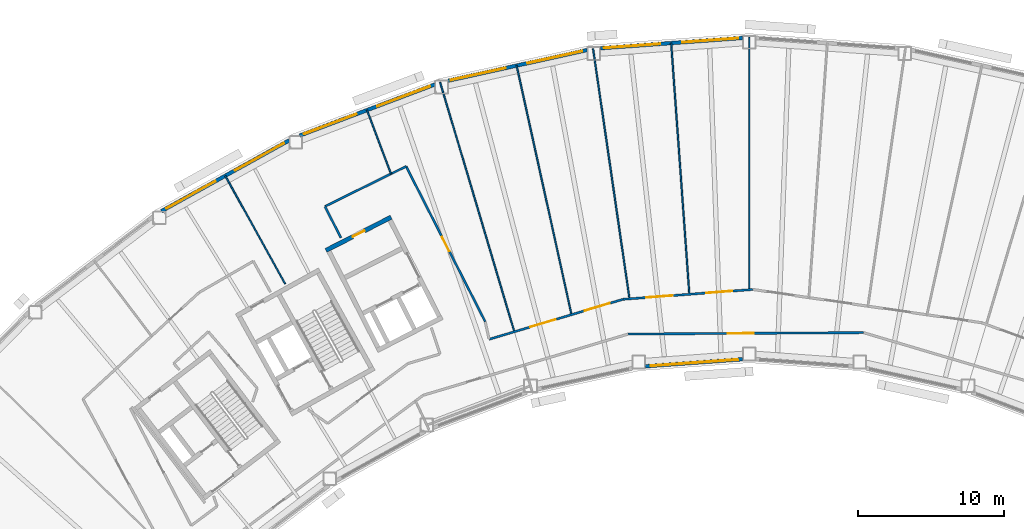
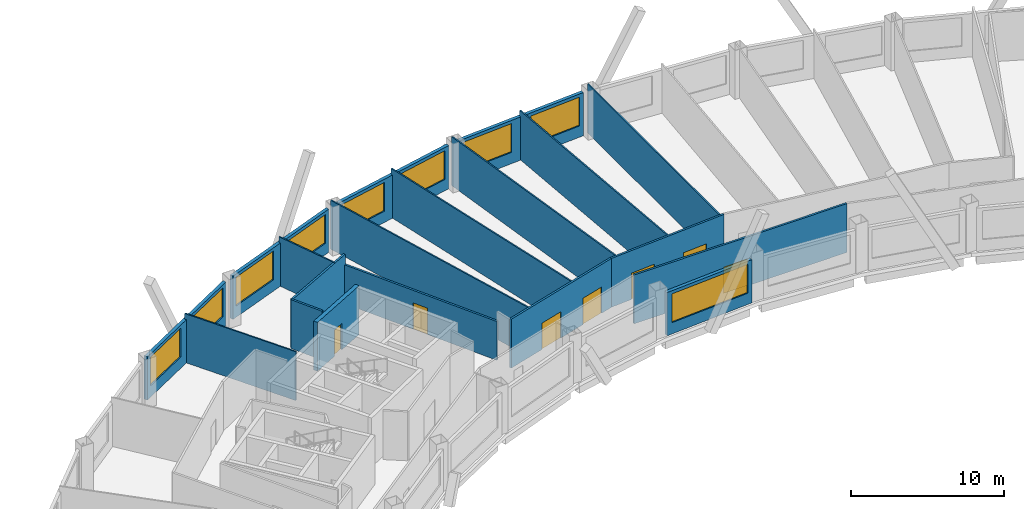
# One storey, part 7 of 13: 19 walls, 9 windows, 7 doors, 16 openings.
"""IFC4 building model written with IfcOpenShell, lengths in metres."""

from ifc_helpers import new_model, si_unit, direction, frame, frame_2d, origin, place, context, subcontext, project, spatial, rectangle, extrude, material, layer, layer_set, type_object, element, fill, save


model = new_model("IFC4")

# Units and contexts
model_context = context("Model", 3, precision=1e-05, world=origin(), true_north=direction((0.0, 1.0)))
body_context = subcontext(model_context, "Body", "Model", "MODEL_VIEW")
ifc_project = project(units=[si_unit("LENGTHUNIT", "METRE"), si_unit("AREAUNIT", "SQUARE_METRE"), si_unit("VOLUMEUNIT", "CUBIC_METRE"), si_unit("PLANEANGLEUNIT", "RADIAN"), si_unit("MASSUNIT", "GRAM", prefix="KILO")], contexts=[model_context])

# Site, building, storey
site_placement = place(None, origin())
site = spatial("IfcSite", under=ifc_project, at=site_placement, CompositionType="ELEMENT")
building_placement = place(site_placement, origin())
building = spatial("IfcBuilding", under=site, at=building_placement, Name="Tuul Gate Civic Tower", CompositionType="ELEMENT")
storey_placement = place(building_placement, frame((0.0, 0.0, 180.5)))
storey = spatial("IfcBuildingStorey", under=building, at=storey_placement, Name="Level 41", CompositionType="ELEMENT", Elevation=180.5)

# Wall, openings, doors
ifc_material_1 = material(Name="Gypsum board partition")
ifc_layer_1 = layer(ifc_material_1, 0.14990234375)
ifc_layer_set_1 = layer_set([ifc_layer_1], Name="Gypsum board partition")
wall_type_1 = type_object("IfcWallType", Name="Corridor wall P150", PredefinedType="PARTITIONING", material=ifc_layer_set_1)
wall_1_placement = place(storey_placement, frame((-7.660888671875, -3.9951171875, 0.0), z_axis=(0.0, 0.0, 1.0), x_axis=(0.997138593057, 0.075595146913, 0.0)))
wall_1 = element("IfcWall", 1, at=wall_1_placement, inside=storey, type_object=wall_type_1, Name="p034", PredefinedType="PARTITIONING", context=body_context, shape_type="SweptSolid", body=[
    extrude(rectangle(XDim=8.9169921875, YDim=0.14990234375, at=frame_2d((4.45849609375, 0.0))), origin(), (0.0, 0.0, 1.0), 3.89990234375),
])
opening_1_placement = place(wall_1_placement, frame((5.71875, 0.0, 0.0)))
opening_1 = element("IfcOpeningElement", 2, at=opening_1_placement, cuts=wall_1, Name="Opening O-D10", PredefinedType="OPENING", context=body_context, shape_type="SweptSolid", body=[
    extrude(rectangle(XDim=1.800048828125, YDim=2.10009765625, at=frame_2d((0.89990234375, 1.050048828125))), frame((0.0, 0.0849609375, 0.0), z_axis=(0.0, -1.0, 0.0), x_axis=(1.0, 0.0, 0.0)), (0.0, 0.0, 1.0), 0.169921875),
])
opening_2_placement = place(wall_1_placement, frame((1.60595703125, 0.0, 0.0)))
opening_2 = element("IfcOpeningElement", 3, at=opening_2_placement, cuts=wall_1, Name="Opening O-D11", PredefinedType="OPENING", context=body_context, shape_type="SweptSolid", body=[
    extrude(rectangle(XDim=1.800048828125, YDim=2.10009765625, at=frame_2d((0.89990234375, 1.050048828125))), frame((0.0, 0.0849609375, 0.0), z_axis=(0.0, -1.0, 0.0), x_axis=(1.0, 0.0, 0.0)), (0.0, 0.0, 1.0), 0.169921875),
])
ifc_material_2 = material(Name="Timber door leaf, double", Category="wood")
door_type_1 = type_object("IfcDoorType", Name="Door D18", OperationType="DOUBLE_DOOR_SINGLE_SWING", PredefinedType="DOOR", material=ifc_material_2)
door_1_placement = place(opening_1_placement, origin())
door_1 = element("IfcDoor", 4, at=door_1_placement, inside=storey, type_object=door_type_1, Name="Door O-D10", OperationType="DOUBLE_DOOR_SINGLE_SWING", OverallHeight=2.10009765625, OverallWidth=1.800048828125, PredefinedType="DOOR", context=body_context, shape_type="SweptSolid", body=[
    extrude(rectangle(XDim=1.800048828125, YDim=2.10009765625, at=frame_2d((0.89990234375, 1.050048828125))), frame((0.0, 0.02490234375, 0.0), z_axis=(0.0, -1.0, 0.0), x_axis=(1.0, 0.0, 0.0)), (0.0, 0.0, 1.0), 0.050048828125),
])
fill(opening_1, door_1)
door_2_placement = place(opening_2_placement, origin())
door_2 = element("IfcDoor", 5, at=door_2_placement, inside=storey, type_object=door_type_1, Name="Door O-D11", OperationType="DOUBLE_DOOR_SINGLE_SWING", OverallHeight=2.10009765625, OverallWidth=1.800048828125, PredefinedType="DOOR", context=body_context, shape_type="SweptSolid", body=[
    extrude(rectangle(XDim=1.800048828125, YDim=2.10009765625, at=frame_2d((0.89990234375, 1.050048828125))), frame((0.0, 0.02490234375, 0.0), z_axis=(0.0, -1.0, 0.0), x_axis=(1.0, 0.0, 0.0)), (0.0, 0.0, 1.0), 0.050048828125),
])
fill(opening_2, door_2)

wall_2_placement = place(storey_placement, frame((-16.8076171875, -6.728515625, 0.0), z_axis=(0.0, 0.0, 1.0), x_axis=(0.958123538427, 0.286355173013, 0.0)))
wall_2 = element("IfcWall", 6, at=wall_2_placement, inside=storey, type_object=wall_type_1, Name="p039", PredefinedType="PARTITIONING", context=body_context, shape_type="SweptSolid", body=[
    extrude(rectangle(XDim=9.54541015625, YDim=0.14990234375, at=frame_2d((4.772705078125, 0.0))), origin(), (0.0, 0.0, 1.0), 3.89990234375),
])
opening_3_placement = place(wall_2_placement, frame((6.807861328125, 0.0, 0.0)))
opening_3 = element("IfcOpeningElement", 7, at=opening_3_placement, cuts=wall_2, Name="Opening O-D12", PredefinedType="OPENING", context=body_context, shape_type="SweptSolid", body=[
    extrude(rectangle(XDim=1.800048828125, YDim=2.10009765625, at=frame_2d((0.89990234375, 1.050048828125))), frame((0.0, 0.0849609375, 0.0), z_axis=(0.0, -1.0, 0.0), x_axis=(1.0, 0.0, 0.0)), (0.0, 0.0, 1.0), 0.169921875),
])
opening_4_placement = place(wall_2_placement, frame((2.92724609375, 0.0, 0.0)))
opening_4 = element("IfcOpeningElement", 8, at=opening_4_placement, cuts=wall_2, Name="Opening O-D13", PredefinedType="OPENING", context=body_context, shape_type="SweptSolid", body=[
    extrude(rectangle(XDim=1.800048828125, YDim=2.10009765625, at=frame_2d((0.89990234375, 1.050048828125))), frame((0.0, 0.0849609375, 0.0), z_axis=(0.0, -1.0, 0.0), x_axis=(1.0, 0.0, 0.0)), (0.0, 0.0, 1.0), 0.169921875),
])
door_3_placement = place(opening_3_placement, origin())
door_3 = element("IfcDoor", 9, at=door_3_placement, inside=storey, type_object=door_type_1, Name="Door O-D12", OperationType="DOUBLE_DOOR_SINGLE_SWING", OverallHeight=2.10009765625, OverallWidth=1.800048828125, PredefinedType="DOOR", context=body_context, shape_type="SweptSolid", body=[
    extrude(rectangle(XDim=1.800048828125, YDim=2.10009765625, at=frame_2d((0.89990234375, 1.050048828125))), frame((0.0, 0.02490234375, 0.0), z_axis=(0.0, -1.0, 0.0), x_axis=(1.0, 0.0, 0.0)), (0.0, 0.0, 1.0), 0.050048828125),
])
fill(opening_3, door_3)
door_4_placement = place(opening_4_placement, origin())
door_4 = element("IfcDoor", 10, at=door_4_placement, inside=storey, type_object=door_type_1, Name="Door O-D13", OperationType="DOUBLE_DOOR_SINGLE_SWING", OverallHeight=2.10009765625, OverallWidth=1.800048828125, PredefinedType="DOOR", context=body_context, shape_type="SweptSolid", body=[
    extrude(rectangle(XDim=1.800048828125, YDim=2.10009765625, at=frame_2d((0.89990234375, 1.050048828125))), frame((0.0, 0.02490234375, 0.0), z_axis=(0.0, -1.0, 0.0), x_axis=(1.0, 0.0, 0.0)), (0.0, 0.0, 1.0), 0.050048828125),
])
fill(opening_4, door_4)

# Walls
wall_3_placement = place(storey_placement, frame((-28.07470703125, 2.368408203125, 0.0), z_axis=(0.0, 0.0, 1.0), x_axis=(0.896894192513, 0.442245189275, 0.0)))
element("IfcWall", 11, at=wall_3_placement, inside=storey, type_object=wall_type_1, Name="p045", PredefinedType="PARTITIONING", context=body_context, shape_type="SweptSolid", body=[
    extrude(rectangle(XDim=6.199951171875, YDim=0.14990234375, at=frame_2d((3.10009765625, 0.0))), origin(), (0.0, 0.0, 1.0), 3.89990234375),
])
wall_4_placement = place(storey_placement, frame((-28.07470703125, 2.368408203125, 0.0), z_axis=(0.0, 0.0, 1.0), x_axis=(0.454233054818, -0.890882894611, 0.0)))
element("IfcWall", 12, at=wall_4_placement, inside=storey, type_object=wall_type_1, Name="p047", PredefinedType="PARTITIONING", context=body_context, shape_type="SweptSolid", body=[
    extrude(rectangle(XDim=2.416015625, YDim=0.14990234375, at=frame_2d((1.2080078125, 0.0))), origin(), (0.0, 0.0, 1.0), 3.89990234375),
])

# Wall, opening, door
wall_5_placement = place(storey_placement, frame((-7.30419921875, -6.375, 0.0), z_axis=(0.0, 0.0, 1.0), x_axis=(0.999981363616, 0.006105114296, 0.0)))
wall_5 = element("IfcWall", 13, at=wall_5_placement, inside=storey, type_object=wall_type_1, Name="p063", PredefinedType="PARTITIONING", context=body_context, shape_type="SweptSolid", body=[
    extrude(rectangle(XDim=16.11572265625, YDim=0.14990234375, at=frame_2d((8.057861328125, 0.0))), origin(), (0.0, 0.0, 1.0), 3.89990234375),
])
opening_5_placement = place(wall_5_placement, frame((6.80810546875, 0.0, 0.0)))
opening_5 = element("IfcOpeningElement", 14, at=opening_5_placement, cuts=wall_5, Name="Opening O-D19", PredefinedType="OPENING", context=body_context, shape_type="SweptSolid", body=[
    extrude(rectangle(XDim=1.800048828125, YDim=2.10009765625, at=frame_2d((0.89990234375, 1.050048828125))), frame((0.0, 0.0849609375, 0.0), z_axis=(0.0, -1.0, 0.0), x_axis=(1.0, 0.0, 0.0)), (0.0, 0.0, 1.0), 0.169921875),
])
door_5_placement = place(opening_5_placement, frame((1.800048828125, 0.0, 0.0), z_axis=(0.0, 0.0, 1.0), x_axis=(-1.0, 0.0, 0.0)))
door_5 = element("IfcDoor", 15, at=door_5_placement, inside=storey, type_object=door_type_1, Name="Door O-D19", OperationType="DOUBLE_DOOR_SINGLE_SWING", OverallHeight=2.10009765625, OverallWidth=1.800048828125, PredefinedType="DOOR", context=body_context, shape_type="SweptSolid", body=[
    extrude(rectangle(XDim=1.800048828125, YDim=2.10009765625, at=frame_2d((0.900146484375, 1.050048828125))), frame((0.0, 0.02490234375, 0.0), z_axis=(0.0, -1.0, 0.0), x_axis=(1.0, 0.0, 0.0)), (0.0, 0.0, 1.0), 0.050048828125),
])
fill(opening_5, door_5)

ifc_material_3 = material(Name="Gypsum board partition")
ifc_layer_2 = layer(ifc_material_3, 0.14990234375)
ifc_layer_set_2 = layer_set([ifc_layer_2], Name="Gypsum board partition")
wall_type_2 = type_object("IfcWallType", Name="Corridor wall P150 3100 HIGH", PredefinedType="PARTITIONING", material=ifc_layer_set_2)
wall_6_placement = place(storey_placement, frame((-22.51318359375, 5.110107421875, 0.0), z_axis=(0.0, 0.0, 1.0), x_axis=(0.454006967755, -0.890998133124, 0.0)))
wall_6 = element("IfcWall", 16, at=wall_6_placement, inside=storey, type_object=wall_type_2, Name="p044", PredefinedType="PARTITIONING", context=body_context, shape_type="SweptSolid", body=[
    extrude(rectangle(XDim=11.9375, YDim=0.14990234375, at=frame_2d((5.96875, 0.0))), origin(), (0.0, 0.0, 1.0), 3.10009765625),
])
opening_6_placement = place(wall_6_placement, frame((5.418701171875, 0.0, 0.0)))
opening_6 = element("IfcOpeningElement", 17, at=opening_6_placement, cuts=wall_6, Name="Opening O-D14", PredefinedType="OPENING", context=body_context, shape_type="SweptSolid", body=[
    extrude(rectangle(XDim=1.10009765625, YDim=2.10009765625, at=frame_2d((0.550048828125, 1.050048828125))), frame((0.0, 0.0849609375, 0.0), z_axis=(0.0, -1.0, 0.0), x_axis=(1.0, 0.0, 0.0)), (0.0, 0.0, 1.0), 0.169921875),
])
ifc_material_4 = material(Name="Timber door leaf", Category="wood")
door_type_2 = type_object("IfcDoorType", Name="Door D11", OperationType="NOTDEFINED", PredefinedType="DOOR", material=ifc_material_4)
door_6_placement = place(opening_6_placement, origin())
door_6 = element("IfcDoor", 18, at=door_6_placement, inside=storey, type_object=door_type_2, Name="Door O-D14", OperationType="SINGLE_SWING_RIGHT", OverallHeight=2.10009765625, OverallWidth=1.10009765625, PredefinedType="DOOR", context=body_context, shape_type="SweptSolid", body=[
    extrude(rectangle(XDim=1.10009765625, YDim=2.10009765625, at=frame_2d((0.550048828125, 1.050048828125))), frame((0.0, 0.02490234375, 0.0), z_axis=(0.0, -1.0, 0.0), x_axis=(1.0, 0.0, 0.0)), (0.0, 0.0, 1.0), 0.050048828125),
])
fill(opening_6, door_6)

# Wall, openings, windows
ifc_material_5 = material(Name="Precast concrete C40/50", Category="concrete")
ifc_layer_3 = layer(ifc_material_5, 0.25)
ifc_layer_set_3 = layer_set([ifc_layer_3], Name="Precast concrete C40/50")
wall_type_3 = type_object("IfcWallType", Name="External wall", PredefinedType="STANDARD", material=ifc_layer_set_3)
wall_7_placement = place(storey_placement, frame((0.5400390625, 13.9091796875, 0.0), z_axis=(0.0, 0.0, 1.0), x_axis=(-0.997386439479, -0.072251576758, 0.0)))
wall_7 = element("IfcWall", 19, at=wall_7_placement, inside=storey, type_object=wall_type_3, Name="External wall", PredefinedType="STANDARD", context=body_context, shape_type="SweptSolid", body=[
    extrude(rectangle(XDim=9.775634765625, YDim=0.25, at=frame_2d((4.8876953125, 0.0))), origin(), (0.0, 0.0, 1.0), 3.449951171875),
])
opening_7_placement = place(wall_7_placement, frame((0.300537109375, 0.0, 0.89990234375)))
opening_7 = element("IfcOpeningElement", 20, at=opening_7_placement, cuts=wall_7, Name="Opening W22", PredefinedType="OPENING", context=body_context, shape_type="SweptSolid", body=[
    extrude(rectangle(XDim=3.85009765625, YDim=2.300048828125, at=frame_2d((1.925048828125, 1.14990234375))), frame((0.0, 0.135009765625, 0.0), z_axis=(0.0, -1.0, 0.0), x_axis=(1.0, 0.0, 0.0)), (0.0, 0.0, 1.0), 0.27001953125),
])
opening_8_placement = place(wall_7_placement, frame((5.672119140625, 0.0, 0.89990234375)))
opening_8 = element("IfcOpeningElement", 21, at=opening_8_placement, cuts=wall_7, Name="Opening W22", PredefinedType="OPENING", context=body_context, shape_type="SweptSolid", body=[
    extrude(rectangle(XDim=3.85009765625, YDim=2.300048828125, at=frame_2d((1.925048828125, 1.14990234375))), frame((0.0, 0.135009765625, 0.0), z_axis=(0.0, -1.0, 0.0), x_axis=(1.0, 0.0, 0.0)), (0.0, 0.0, 1.0), 0.27001953125),
])
ifc_material_6 = material(Name="Glass", Category="glass")
window_type_1 = type_object("IfcWindowType", Name="Window W22 3850 x 2300", PartitioningType="SINGLE_PANEL", PredefinedType="WINDOW", material=ifc_material_6)
window_1_placement = place(opening_7_placement, origin())
window_1 = element("IfcWindow", 22, at=window_1_placement, inside=storey, type_object=window_type_1, Name="Window", OverallHeight=2.300048828125, OverallWidth=3.85009765625, PartitioningType="SINGLE_PANEL", PredefinedType="WINDOW", context=body_context, shape_type="SweptSolid", body=[
    extrude(rectangle(XDim=3.85009765625, YDim=2.300048828125, at=frame_2d((1.925048828125, 1.14990234375))), frame((0.0, 0.030029296875, 0.0), z_axis=(0.0, -1.0, 0.0), x_axis=(1.0, 0.0, 0.0)), (0.0, 0.0, 1.0), 0.06005859375),
])
fill(opening_7, window_1)
window_2_placement = place(opening_8_placement, origin())
window_2 = element("IfcWindow", 23, at=window_2_placement, inside=storey, type_object=window_type_1, Name="Window", OverallHeight=2.300048828125, OverallWidth=3.85009765625, PartitioningType="SINGLE_PANEL", PredefinedType="WINDOW", context=body_context, shape_type="SweptSolid", body=[
    extrude(rectangle(XDim=3.85009765625, YDim=2.300048828125, at=frame_2d((1.925048828125, 1.14990234375))), frame((0.0, 0.030029296875, 0.0), z_axis=(0.0, -1.0, 0.0), x_axis=(1.0, 0.0, 0.0)), (0.0, 0.0, 1.0), 0.06005859375),
])
fill(opening_8, window_2)

wall_8_placement = place(storey_placement, frame((-10.110107421875, 13.078125, 0.0), z_axis=(0.0, 0.0, 1.0), x_axis=(-0.976559525993, -0.215247513789, 0.0)))
wall_8 = element("IfcWall", 24, at=wall_8_placement, inside=storey, type_object=wall_type_3, Name="External wall", PredefinedType="STANDARD", context=body_context, shape_type="SweptSolid", body=[
    extrude(rectangle(XDim=9.755615234375, YDim=0.25, at=frame_2d((4.8779296875, 0.0))), origin(), (0.0, 0.0, 1.0), 3.449951171875),
])
opening_9_placement = place(wall_8_placement, frame((0.338623046875, 0.0, 0.89990234375)))
opening_9 = element("IfcOpeningElement", 25, at=opening_9_placement, cuts=wall_8, Name="Opening W22", PredefinedType="OPENING", context=body_context, shape_type="SweptSolid", body=[
    extrude(rectangle(XDim=3.85009765625, YDim=2.300048828125, at=frame_2d((1.925048828125, 1.14990234375))), frame((0.0, 0.135009765625, 0.0), z_axis=(0.0, -1.0, 0.0), x_axis=(1.0, 0.0, 0.0)), (0.0, 0.0, 1.0), 0.27001953125),
])
opening_10_placement = place(wall_8_placement, frame((5.70947265625, 0.0, 0.89990234375)))
opening_10 = element("IfcOpeningElement", 26, at=opening_10_placement, cuts=wall_8, Name="Opening W22", PredefinedType="OPENING", context=body_context, shape_type="SweptSolid", body=[
    extrude(rectangle(XDim=3.85009765625, YDim=2.300048828125, at=frame_2d((1.925048828125, 1.14990234375))), frame((0.0, 0.135009765625, 0.0), z_axis=(0.0, -1.0, 0.0), x_axis=(1.0, 0.0, 0.0)), (0.0, 0.0, 1.0), 0.27001953125),
])
window_3_placement = place(opening_9_placement, origin())
window_3 = element("IfcWindow", 27, at=window_3_placement, inside=storey, type_object=window_type_1, Name="Window", OverallHeight=2.300048828125, OverallWidth=3.85009765625, PartitioningType="SINGLE_PANEL", PredefinedType="WINDOW", context=body_context, shape_type="SweptSolid", body=[
    extrude(rectangle(XDim=3.85009765625, YDim=2.300048828125, at=frame_2d((1.925048828125, 1.14990234375))), frame((0.0, 0.030029296875, 0.0), z_axis=(0.0, -1.0, 0.0), x_axis=(1.0, 0.0, 0.0)), (0.0, 0.0, 1.0), 0.06005859375),
])
fill(opening_9, window_3)
window_4_placement = place(opening_10_placement, origin())
window_4 = element("IfcWindow", 28, at=window_4_placement, inside=storey, type_object=window_type_1, Name="Window", OverallHeight=2.300048828125, OverallWidth=3.85009765625, PartitioningType="SINGLE_PANEL", PredefinedType="WINDOW", context=body_context, shape_type="SweptSolid", body=[
    extrude(rectangle(XDim=3.85009765625, YDim=2.300048828125, at=frame_2d((1.925048828125, 1.14990234375))), frame((0.0, 0.030029296875, 0.0), z_axis=(0.0, -1.0, 0.0), x_axis=(1.0, 0.0, 0.0)), (0.0, 0.0, 1.0), 0.06005859375),
])
fill(opening_10, window_4)

wall_9_placement = place(storey_placement, frame((-20.537109375, 10.7236328125, 0.0), z_axis=(0.0, 0.0, 1.0), x_axis=(-0.935342915264, -0.353742322694, 0.0)))
wall_9 = element("IfcWall", 29, at=wall_9_placement, inside=storey, type_object=wall_type_3, Name="External wall", PredefinedType="STANDARD", context=body_context, shape_type="SweptSolid", body=[
    extrude(rectangle(XDim=9.904541015625, YDim=0.25, at=frame_2d((4.9521484375, 0.0))), origin(), (0.0, 0.0, 1.0), 3.449951171875),
])
opening_11_placement = place(wall_9_placement, frame((0.369140625, 0.0, 0.89990234375)))
opening_11 = element("IfcOpeningElement", 30, at=opening_11_placement, cuts=wall_9, Name="Opening W22", PredefinedType="OPENING", context=body_context, shape_type="SweptSolid", body=[
    extrude(rectangle(XDim=3.85009765625, YDim=2.300048828125, at=frame_2d((1.925048828125, 1.14990234375))), frame((0.0, 0.135009765625, 0.0), z_axis=(0.0, -1.0, 0.0), x_axis=(1.0, 0.0, 0.0)), (0.0, 0.0, 1.0), 0.27001953125),
])
opening_12_placement = place(wall_9_placement, frame((5.740478515625, 0.0, 0.89990234375)))
opening_12 = element("IfcOpeningElement", 31, at=opening_12_placement, cuts=wall_9, Name="Opening W22", PredefinedType="OPENING", context=body_context, shape_type="SweptSolid", body=[
    extrude(rectangle(XDim=3.85009765625, YDim=2.300048828125, at=frame_2d((1.925048828125, 1.14990234375))), frame((0.0, 0.135009765625, 0.0), z_axis=(0.0, -1.0, 0.0), x_axis=(1.0, 0.0, 0.0)), (0.0, 0.0, 1.0), 0.27001953125),
])
window_5_placement = place(opening_11_placement, origin())
window_5 = element("IfcWindow", 32, at=window_5_placement, inside=storey, type_object=window_type_1, Name="Window", OverallHeight=2.300048828125, OverallWidth=3.85009765625, PartitioningType="SINGLE_PANEL", PredefinedType="WINDOW", context=body_context, shape_type="SweptSolid", body=[
    extrude(rectangle(XDim=3.85009765625, YDim=2.300048828125, at=frame_2d((1.925048828125, 1.14990234375))), frame((0.0, 0.030029296875, 0.0), z_axis=(0.0, -1.0, 0.0), x_axis=(1.0, 0.0, 0.0)), (0.0, 0.0, 1.0), 0.06005859375),
])
fill(opening_11, window_5)
window_6_placement = place(opening_12_placement, origin())
window_6 = element("IfcWindow", 33, at=window_6_placement, inside=storey, type_object=window_type_1, Name="Window", OverallHeight=2.300048828125, OverallWidth=3.85009765625, PartitioningType="SINGLE_PANEL", PredefinedType="WINDOW", context=body_context, shape_type="SweptSolid", body=[
    extrude(rectangle(XDim=3.85009765625, YDim=2.300048828125, at=frame_2d((1.925048828125, 1.14990234375))), frame((0.0, 0.030029296875, 0.0), z_axis=(0.0, -1.0, 0.0), x_axis=(1.0, 0.0, 0.0)), (0.0, 0.0, 1.0), 0.06005859375),
])
fill(opening_12, window_6)

wall_10_placement = place(storey_placement, frame((-30.52392578125, 6.891357421875, 0.0), z_axis=(0.0, 0.0, 1.0), x_axis=(-0.874633566806, -0.484784615903, 0.0)))
wall_10 = element("IfcWall", 34, at=wall_10_placement, inside=storey, type_object=wall_type_3, Name="External wall", PredefinedType="STANDARD", context=body_context, shape_type="SweptSolid", body=[
    extrude(rectangle(XDim=10.001220703125, YDim=0.25, at=frame_2d((5.00048828125, 0.0))), origin(), (0.0, 0.0, 1.0), 3.449951171875),
])
opening_13_placement = place(wall_10_placement, frame((0.39306640625, 0.0, 0.89990234375)))
opening_13 = element("IfcOpeningElement", 35, at=opening_13_placement, cuts=wall_10, Name="Opening W22", PredefinedType="OPENING", context=body_context, shape_type="SweptSolid", body=[
    extrude(rectangle(XDim=3.85009765625, YDim=2.300048828125, at=frame_2d((1.925048828125, 1.14990234375))), frame((0.0, 0.135009765625, 0.0), z_axis=(0.0, -1.0, 0.0), x_axis=(1.0, 0.0, 0.0)), (0.0, 0.0, 1.0), 0.27001953125),
])
opening_14_placement = place(wall_10_placement, frame((5.764404296875, 0.0, 0.89990234375)))
opening_14 = element("IfcOpeningElement", 36, at=opening_14_placement, cuts=wall_10, Name="Opening W22", PredefinedType="OPENING", context=body_context, shape_type="SweptSolid", body=[
    extrude(rectangle(XDim=3.85009765625, YDim=2.300048828125, at=frame_2d((1.925048828125, 1.14990234375))), frame((0.0, 0.135009765625, 0.0), z_axis=(0.0, -1.0, 0.0), x_axis=(1.0, 0.0, 0.0)), (0.0, 0.0, 1.0), 0.27001953125),
])
window_7_placement = place(opening_13_placement, origin())
window_7 = element("IfcWindow", 37, at=window_7_placement, inside=storey, type_object=window_type_1, Name="Window", OverallHeight=2.300048828125, OverallWidth=3.85009765625, PartitioningType="SINGLE_PANEL", PredefinedType="WINDOW", context=body_context, shape_type="SweptSolid", body=[
    extrude(rectangle(XDim=3.85009765625, YDim=2.300048828125, at=frame_2d((1.925048828125, 1.14990234375))), frame((0.0, 0.030029296875, 0.0), z_axis=(0.0, -1.0, 0.0), x_axis=(1.0, 0.0, 0.0)), (0.0, 0.0, 1.0), 0.06005859375),
])
fill(opening_13, window_7)
window_8_placement = place(opening_14_placement, origin())
window_8 = element("IfcWindow", 38, at=window_8_placement, inside=storey, type_object=window_type_1, Name="Window", OverallHeight=2.300048828125, OverallWidth=3.85009765625, PartitioningType="SINGLE_PANEL", PredefinedType="WINDOW", context=body_context, shape_type="SweptSolid", body=[
    extrude(rectangle(XDim=3.85009765625, YDim=2.300048828125, at=frame_2d((1.925048828125, 1.14990234375))), frame((0.0, 0.030029296875, 0.0), z_axis=(0.0, -1.0, 0.0), x_axis=(1.0, 0.0, 0.0)), (0.0, 0.0, 1.0), 0.06005859375),
])
fill(opening_14, window_8)

# Wall, opening, window
wall_11_placement = place(storey_placement, frame((-6.132080078125, -8.581787109375, 0.0), z_axis=(0.0, 0.0, 1.0), x_axis=(0.99738574908, 0.072261106633, 0.0)))
wall_11 = element("IfcWall", 39, at=wall_11_placement, inside=storey, type_object=wall_type_3, Name="External wall", PredefinedType="STANDARD", context=body_context, shape_type="SweptSolid", body=[
    extrude(rectangle(XDim=6.689697265625, YDim=0.25, at=frame_2d((3.3447265625, 0.0))), origin(), (0.0, 0.0, 1.0), 3.449951171875),
])
opening_15_placement = place(wall_11_placement, frame((0.3681640625, 0.0, 0.89990234375)))
opening_15 = element("IfcOpeningElement", 40, at=opening_15_placement, cuts=wall_11, Name="Opening W26", PredefinedType="OPENING", context=body_context, shape_type="SweptSolid", body=[
    extrude(rectangle(XDim=6.0, YDim=2.300048828125, at=frame_2d((3.0, 1.14990234375))), frame((0.0, 0.135009765625, 0.0), z_axis=(0.0, -1.0, 0.0), x_axis=(1.0, 0.0, 0.0)), (0.0, 0.0, 1.0), 0.27001953125),
])
ifc_material_7 = material(Name="Glass", Category="glass")
window_type_2 = type_object("IfcWindowType", Name="Window W26 6000 x 2300", PartitioningType="SINGLE_PANEL", PredefinedType="WINDOW", material=ifc_material_7)
window_9_placement = place(opening_15_placement, origin())
window_9 = element("IfcWindow", 41, at=window_9_placement, inside=storey, type_object=window_type_2, Name="Window", OverallHeight=2.300048828125, OverallWidth=6.0, PartitioningType="SINGLE_PANEL", PredefinedType="WINDOW", context=body_context, shape_type="SweptSolid", body=[
    extrude(rectangle(XDim=6.0, YDim=2.300048828125, at=frame_2d((3.0, 1.14990234375))), frame((0.0, 0.030029296875, 0.0), z_axis=(0.0, -1.0, 0.0), x_axis=(1.0, 0.0, 0.0)), (0.0, 0.0, 1.0), 0.06005859375),
])
fill(opening_15, window_9)

# Wall, opening, door
ifc_material_8 = material(Name="Concrete C40/50", Category="concrete")
ifc_layer_4 = layer(ifc_material_8, 0.300048828125)
ifc_layer_set_4 = layer_set([ifc_layer_4], Name="Concrete C40/50")
wall_type_4 = type_object("IfcWallType", Name="Lift shaft wall C40/50", PredefinedType="STANDARD", material=ifc_layer_set_4)
wall_12_placement = place(storey_placement, frame((-23.544921875, 1.62841796875, 0.0), z_axis=(0.0, 0.0, 1.0), x_axis=(-0.891002976909, -0.453997461601, 0.0)))
wall_12 = element("IfcWall", 42, at=wall_12_placement, inside=storey, type_object=wall_type_4, Name="Shaft wall", PredefinedType="STANDARD", context=body_context, shape_type="SweptSolid", body=[
    extrude(rectangle(XDim=5.0, YDim=0.300048828125, at=frame_2d((2.5, 0.0))), origin(), (0.0, 0.0, 1.0), 3.89990234375),
])
opening_16_placement = place(wall_12_placement, frame((2.050048828125, 0.0, 0.0)))
opening_16 = element("IfcOpeningElement", 43, at=opening_16_placement, cuts=wall_12, Name="Opening O-D31", PredefinedType="OPENING", context=body_context, shape_type="SweptSolid", body=[
    extrude(rectangle(XDim=0.89990234375, YDim=2.10009765625, at=frame_2d((0.449951171875, 1.050048828125))), frame((0.0, 0.16015625, 0.0), z_axis=(0.0, -1.0, 0.0), x_axis=(1.0, 0.0, 0.0)), (0.0, 0.0, 1.0), 0.320068359375),
])
ifc_material_9 = material(Name="Timber door leaf", Category="wood")
door_type_3 = type_object("IfcDoorType", Name="Door D09", OperationType="NOTDEFINED", PredefinedType="DOOR", material=ifc_material_9)
door_7_placement = place(opening_16_placement, origin())
door_7 = element("IfcDoor", 44, at=door_7_placement, inside=storey, type_object=door_type_3, Name="Door O-D31", OperationType="SINGLE_SWING_LEFT", OverallHeight=2.10009765625, OverallWidth=0.89990234375, PredefinedType="DOOR", context=body_context, shape_type="SweptSolid", body=[
    extrude(rectangle(XDim=0.89990234375, YDim=2.10009765625, at=frame_2d((0.449951171875, 1.050048828125))), frame((0.0, 0.02490234375, 0.0), z_axis=(0.0, -1.0, 0.0), x_axis=(1.0, 0.0, 0.0)), (0.0, 0.0, 1.0), 0.050048828125),
])
fill(opening_16, door_7)

# Walls
ifc_material_10 = material(Name="Gypsum board partition")
ifc_layer_5 = layer(ifc_material_10, 0.10009765625)
ifc_layer_set_5 = layer_set([ifc_layer_5], Name="Gypsum board partition")
wall_type_5 = type_object("IfcWallType", Name="Partition P100", PredefinedType="PARTITIONING", material=ifc_layer_set_5)
wall_13_placement = place(storey_placement, frame((0.989990234375, -3.33935546875, 0.0), z_axis=(0.0, 0.0, 1.0), x_axis=(0.0, 1.0, 0.0)))
element("IfcWall", 45, at=wall_13_placement, inside=storey, type_object=wall_type_5, Name="p033", PredefinedType="PARTITIONING", context=body_context, shape_type="SweptSolid", body=[
    extrude(rectangle(XDim=17.2861328125, YDim=0.10009765625, at=frame_2d((8.64306640625, 0.0))), origin(), (0.0, 0.0, 1.0), 3.89990234375),
])
wall_14_placement = place(storey_placement, frame((-4.358642578125, 13.559326171875, 0.0), z_axis=(0.0, 0.0, 1.0), x_axis=(0.072232442173, -0.997387825421, 0.0)))
element("IfcWall", 46, at=wall_14_placement, inside=storey, type_object=wall_type_5, Name="p035", PredefinedType="PARTITIONING", context=body_context, shape_type="SweptSolid", body=[
    extrude(rectangle(XDim=17.254638671875, YDim=0.10009765625, at=frame_2d((8.62744140625, 0.0))), origin(), (0.0, 0.0, 1.0), 3.89990234375),
])
wall_15_placement = place(storey_placement, frame((-9.707275390625, 13.172119140625, 0.0), z_axis=(0.0, 0.0, 1.0), x_axis=(0.144111574607, -0.98956144532, 0.0)))
element("IfcWall", 47, at=wall_15_placement, inside=storey, type_object=wall_type_5, Name="p036", PredefinedType="PARTITIONING", context=body_context, shape_type="SweptSolid", body=[
    extrude(rectangle(XDim=17.313720703125, YDim=0.10009765625, at=frame_2d((8.65673828125, 0.0))), origin(), (0.0, 0.0, 1.0), 3.89990234375),
])
wall_16_placement = place(storey_placement, frame((-14.944091796875, 12.017822265625, 0.0), z_axis=(0.0, 0.0, 1.0), x_axis=(0.21522156783, -0.976565244487, 0.0)))
element("IfcWall", 48, at=wall_16_placement, inside=storey, type_object=wall_type_5, Name="p037", PredefinedType="PARTITIONING", context=body_context, shape_type="SweptSolid", body=[
    extrude(rectangle(XDim=17.474853515625, YDim=0.10009765625, at=frame_2d((8.7373046875, 0.0))), origin(), (0.0, 0.0, 1.0), 3.89990234375),
])
wall_17_placement = place(storey_placement, frame((-20.18115234375, 10.863525390625, 0.0), z_axis=(0.0, 0.0, 1.0), x_axis=(0.285208049839, -0.958465632304, 0.0)))
element("IfcWall", 49, at=wall_17_placement, inside=storey, type_object=wall_type_5, Name="p040", PredefinedType="PARTITIONING", context=body_context, shape_type="SweptSolid", body=[
    extrude(rectangle(XDim=17.8212890625, YDim=0.10009765625, at=frame_2d((8.91064453125, 0.0))), origin(), (0.0, 0.0, 1.0), 3.89990234375),
])
wall_18_placement = place(storey_placement, frame((-25.197021484375, 8.966552734375, 0.0), z_axis=(0.0, 0.0, 1.0), x_axis=(0.353736258461, -0.935345208707, 0.0)))
element("IfcWall", 50, at=wall_18_placement, inside=storey, type_object=wall_type_5, Name="p042", PredefinedType="PARTITIONING", context=body_context, shape_type="SweptSolid", body=[
    extrude(rectangle(XDim=4.6669921875, YDim=0.10009765625, at=frame_2d((2.33349609375, 0.0))), origin(), (0.0, 0.0, 1.0), 3.89990234375),
])
wall_19_placement = place(storey_placement, frame((-34.903076171875, 4.469970703125, 0.0), z_axis=(0.0, 0.0, 1.0), x_axis=(0.484796273354, -0.874627105309, 0.0)))
element("IfcWall", 51, at=wall_19_placement, inside=storey, type_object=wall_type_5, Name="p046", PredefinedType="PARTITIONING", context=body_context, shape_type="SweptSolid", body=[
    extrude(rectangle(XDim=8.473388671875, YDim=0.10009765625, at=frame_2d((4.23681640625, 0.0))), origin(), (0.0, 0.0, 1.0), 3.89990234375),
])

save(model, "model.ifc")
